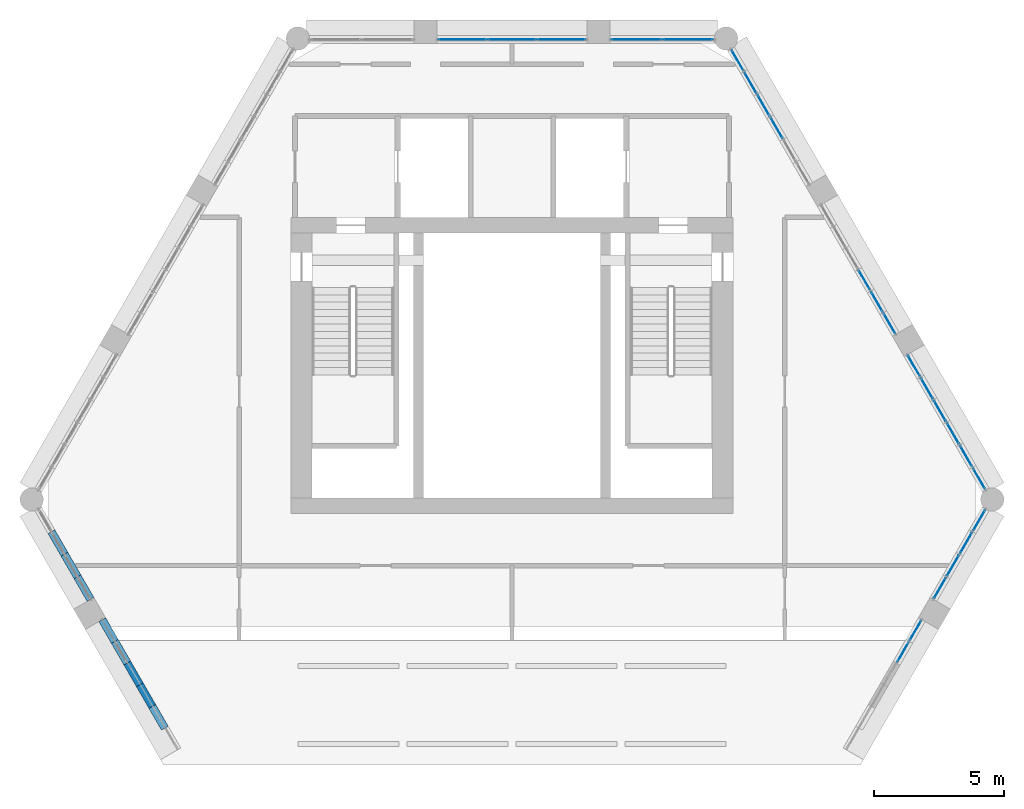
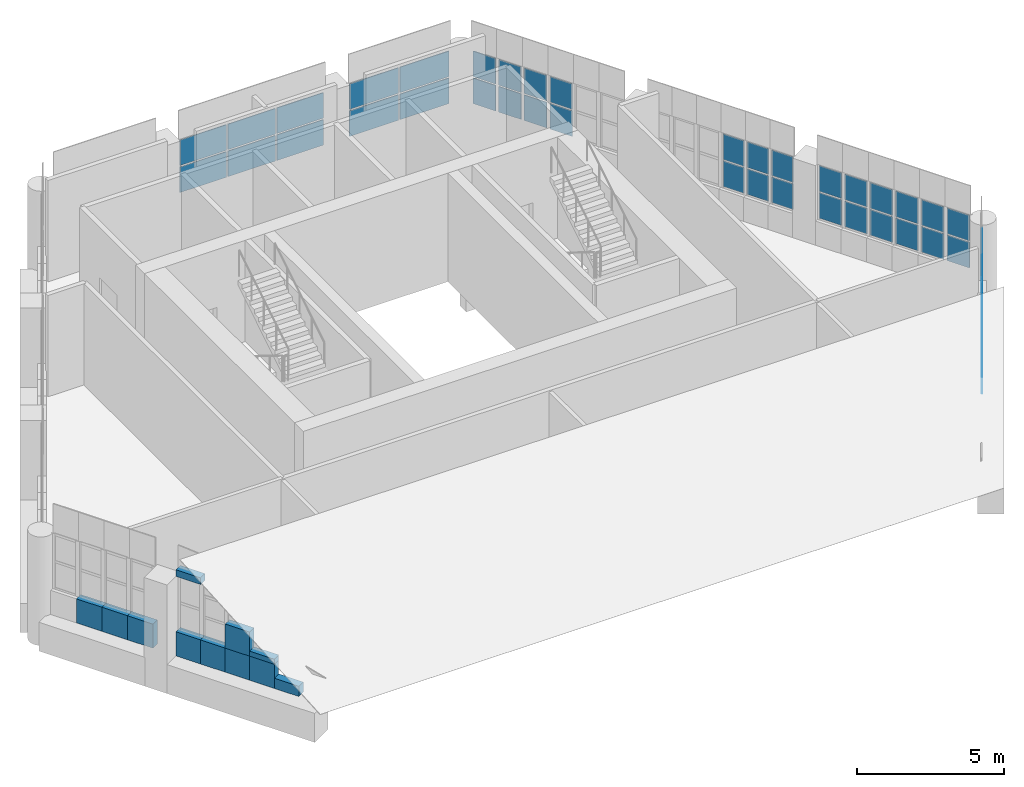
# One storey, part 17 of 23: 48 plates, 11 walls, 21 elements without a shape of their own.
"""IFC4 building model written with IfcOpenShell, lengths in metres."""

from ifc_helpers import new_model, si_unit, direction, frame, frame_2d, origin, origin_2d, place, context, subcontext, project, spatial, rectangle, extrude, material, layer, layer_set, type_object, element, aggregate, save


model = new_model("IFC4")

# Units and contexts
model_context = context("Model", 3, precision=1e-05, world=origin(), true_north=direction((0.0, 1.0)))
body_context = subcontext(model_context, "Body", "Model", "MODEL_VIEW")
ifc_project = project(units=[si_unit("LENGTHUNIT", "METRE"), si_unit("AREAUNIT", "SQUARE_METRE"), si_unit("VOLUMEUNIT", "CUBIC_METRE"), si_unit("PLANEANGLEUNIT", "RADIAN"), si_unit("MASSUNIT", "GRAM", prefix="KILO")], contexts=[model_context])

# Site, building, storey
site_placement = place(None, origin())
site = spatial("IfcSite", under=ifc_project, at=site_placement, CompositionType="ELEMENT")
building_placement = place(site_placement, origin())
building = spatial("IfcBuilding", under=site, at=building_placement, Name="Ostrander Bayou Hotel Tower", CompositionType="ELEMENT")
storey_placement = place(building_placement, frame((0.0, 0.0, 279.5)))
storey = spatial("IfcBuildingStorey", under=building, at=storey_placement, Name="L69", CompositionType="ELEMENT", Elevation=279.5)

# Curtain wall, plates
ifc_material_1 = material(Name="Aluminium and clear glass", Category="aluminium")
curtain_wall_type = type_object("IfcCurtainWallType", Name="CW-CROWN glazed wall", PredefinedType="NOTDEFINED", material=ifc_material_1)
curtain_wall_1_placement = place(storey_placement, origin())
curtain_wall_1 = element("IfcCurtainWall", 1, at=curtain_wall_1_placement, inside=storey, type_object=curtain_wall_type, Name="CW-CROWN L69:N-1", PredefinedType="NOTDEFINED")
ifc_material_2 = material(Name="Clear laminated glass", Category="glass")
ifc_layer_1 = layer(ifc_material_2, 0.028076171875)
ifc_layer_set_1 = layer_set([ifc_layer_1], Name="CW-CR glazing panel 28 mm")
plate_type = type_object("IfcPlateType", Name="CW-CR glazing panel 28 mm", PredefinedType="CURTAIN_PANEL", material=ifc_layer_set_1)
plate_1_placement = place(storey_placement, frame((6.77685546875, 16.550048828125, 1.06005859375), z_axis=(0.0, 0.0, 1.0), x_axis=(-1.0, 0.0, 0.0)))
plate_1 = element("IfcPlate", 2, at=plate_1_placement, type_object=plate_type, Name="CW-CROWN panel 1.1", PredefinedType="CURTAIN_PANEL", context=body_context, shape_type="SweptSolid", body=[
    extrude(rectangle(XDim=1.918212890625, YDim=0.028076171875, at=origin_2d()), origin(), (0.0, 0.0, 1.0), 1.06005859375),
])
plate_2_placement = place(storey_placement, frame((6.77685546875, 16.550048828125, 2.179931640625), z_axis=(0.0, 0.0, 1.0), x_axis=(-1.0, 0.0, 0.0)))
plate_2 = element("IfcPlate", 3, at=plate_2_placement, type_object=plate_type, Name="CW-CROWN panel 1.2", PredefinedType="CURTAIN_PANEL", context=body_context, shape_type="SweptSolid", body=[
    extrude(rectangle(XDim=1.918212890625, YDim=0.028076171875, at=origin_2d()), origin(), (0.0, 0.0, 1.0), 1.06005859375),
])
plate_3_placement = place(storey_placement, frame((4.798583984375, 16.550048828125, 1.06005859375), z_axis=(0.0, 0.0, 1.0), x_axis=(-1.0, 0.0, 0.0)))
plate_3 = element("IfcPlate", 4, at=plate_3_placement, type_object=plate_type, Name="CW-CROWN panel 2.1", PredefinedType="CURTAIN_PANEL", context=body_context, shape_type="SweptSolid", body=[
    extrude(rectangle(XDim=1.918212890625, YDim=0.028076171875, at=origin_2d()), origin(), (0.0, 0.0, 1.0), 1.06005859375),
])
plate_4_placement = place(storey_placement, frame((4.798583984375, 16.550048828125, 2.179931640625), z_axis=(0.0, 0.0, 1.0), x_axis=(-1.0, 0.0, 0.0)))
plate_4 = element("IfcPlate", 5, at=plate_4_placement, type_object=plate_type, Name="CW-CROWN panel 2.2", PredefinedType="CURTAIN_PANEL", context=body_context, shape_type="SweptSolid", body=[
    extrude(rectangle(XDim=1.918212890625, YDim=0.028076171875, at=origin_2d()), origin(), (0.0, 0.0, 1.0), 1.06005859375),
])
aggregate(curtain_wall_1, [plate_1, plate_2, plate_3, plate_4])

curtain_wall_2_placement = place(storey_placement, origin())
curtain_wall_2 = element("IfcCurtainWall", 6, at=curtain_wall_2_placement, inside=storey, type_object=curtain_wall_type, Name="CW-CROWN L69:N-2", PredefinedType="NOTDEFINED")
plate_5_placement = place(storey_placement, frame((1.904541015625, 16.550048828125, 1.06005859375), z_axis=(0.0, 0.0, 1.0), x_axis=(-1.0, 0.0, 0.0)))
plate_5 = element("IfcPlate", 7, at=plate_5_placement, type_object=plate_type, Name="CW-CROWN panel 1.1", PredefinedType="CURTAIN_PANEL", context=body_context, shape_type="SweptSolid", body=[
    extrude(rectangle(XDim=1.82958984375, YDim=0.028076171875, at=origin_2d()), origin(), (0.0, 0.0, 1.0), 1.06005859375),
])
plate_6_placement = place(storey_placement, frame((1.904541015625, 16.550048828125, 2.179931640625), z_axis=(0.0, 0.0, 1.0), x_axis=(-1.0, 0.0, 0.0)))
plate_6 = element("IfcPlate", 8, at=plate_6_placement, type_object=plate_type, Name="CW-CROWN panel 1.2", PredefinedType="CURTAIN_PANEL", context=body_context, shape_type="SweptSolid", body=[
    extrude(rectangle(XDim=1.82958984375, YDim=0.028076171875, at=origin_2d()), origin(), (0.0, 0.0, 1.0), 1.06005859375),
])
plate_7_placement = place(storey_placement, frame((0.0, 16.550048828125, 1.06005859375), z_axis=(0.0, 0.0, 1.0), x_axis=(-1.0, 0.0, 0.0)))
plate_7 = element("IfcPlate", 9, at=plate_7_placement, type_object=plate_type, Name="CW-CROWN panel 2.1", PredefinedType="CURTAIN_PANEL", context=body_context, shape_type="SweptSolid", body=[
    extrude(rectangle(XDim=1.859619140625, YDim=0.028076171875, at=origin_2d()), origin(), (0.0, 0.0, 1.0), 1.06005859375),
])
plate_8_placement = place(storey_placement, frame((0.0, 16.550048828125, 2.179931640625), z_axis=(0.0, 0.0, 1.0), x_axis=(-1.0, 0.0, 0.0)))
plate_8 = element("IfcPlate", 10, at=plate_8_placement, type_object=plate_type, Name="CW-CROWN panel 2.2", PredefinedType="CURTAIN_PANEL", context=body_context, shape_type="SweptSolid", body=[
    extrude(rectangle(XDim=1.859619140625, YDim=0.028076171875, at=origin_2d()), origin(), (0.0, 0.0, 1.0), 1.06005859375),
])
plate_9_placement = place(storey_placement, frame((-1.904541015625, 16.550048828125, 1.06005859375), z_axis=(0.0, 0.0, 1.0), x_axis=(-1.0, 0.0, 0.0)))
plate_9 = element("IfcPlate", 11, at=plate_9_placement, type_object=plate_type, Name="CW-CROWN panel 3.1", PredefinedType="CURTAIN_PANEL", context=body_context, shape_type="SweptSolid", body=[
    extrude(rectangle(XDim=1.82958984375, YDim=0.028076171875, at=origin_2d()), origin(), (0.0, 0.0, 1.0), 1.06005859375),
])
plate_10_placement = place(storey_placement, frame((-1.904541015625, 16.550048828125, 2.179931640625), z_axis=(0.0, 0.0, 1.0), x_axis=(-1.0, 0.0, 0.0)))
plate_10 = element("IfcPlate", 12, at=plate_10_placement, type_object=plate_type, Name="CW-CROWN panel 3.2", PredefinedType="CURTAIN_PANEL", context=body_context, shape_type="SweptSolid", body=[
    extrude(rectangle(XDim=1.82958984375, YDim=0.028076171875, at=origin_2d()), origin(), (0.0, 0.0, 1.0), 1.06005859375),
])
aggregate(curtain_wall_2, [plate_5, plate_6, plate_7, plate_8, plate_9, plate_10])

curtain_wall_3_placement = place(storey_placement, origin())
curtain_wall_3 = element("IfcCurtainWall", 13, at=curtain_wall_3_placement, inside=storey, type_object=curtain_wall_type, Name="CW-CROWN L69:SE-2-5", PredefinedType="NOTDEFINED")
plate_11_placement = place(storey_placement, frame((15.048828125, -7.03466796875, 1.06005859375), z_axis=(0.0, 0.0, 1.0), x_axis=(0.499973660258, 0.866040610507, 0.0)))
plate_11 = element("IfcPlate", 14, at=plate_11_placement, type_object=plate_type, Name="CW-CROWN panel 1.1", PredefinedType="CURTAIN_PANEL", context=body_context, shape_type="SweptSolid", body=[
    extrude(rectangle(XDim=0.844970703125, YDim=0.028076171875, at=origin_2d()), origin(), (0.0, 0.0, 1.0), 0.802978515625),
])
plate_12_placement = place(storey_placement, frame((15.048828125, -7.03466796875, 1.9228515625), z_axis=(0.0, 0.0, 1.0), x_axis=(0.499973660258, 0.866040610507, 0.0)))
plate_12 = element("IfcPlate", 15, at=plate_12_placement, type_object=plate_type, Name="CW-CROWN panel 1.2", PredefinedType="CURTAIN_PANEL", context=body_context, shape_type="SweptSolid", body=[
    extrude(rectangle(XDim=0.844970703125, YDim=0.028076171875, at=origin_2d()), origin(), (0.0, 0.0, 1.0), 0.802978515625),
])
aggregate(curtain_wall_3, [plate_11, plate_12])

curtain_wall_4_placement = place(storey_placement, origin())
curtain_wall_4 = element("IfcCurtainWall", 16, at=curtain_wall_4_placement, inside=storey, type_object=curtain_wall_type, Name="CW-CROWN L69:SE-2-6", PredefinedType="NOTDEFINED")
plate_13_placement = place(storey_placement, frame((15.53125, -6.19921875, 1.06005859375), z_axis=(0.0, 0.0, 1.0), x_axis=(0.500018540754, 0.86601469901, 0.0)))
plate_13 = element("IfcPlate", 17, at=plate_13_placement, type_object=plate_type, Name="CW-CROWN panel 1.1", PredefinedType="CURTAIN_PANEL", context=body_context, shape_type="SweptSolid", body=[
    extrude(rectangle(XDim=0.8447265625, YDim=0.028076171875, at=origin_2d()), origin(), (0.0, 0.0, 1.0), 1.06005859375),
])
plate_14_placement = place(storey_placement, frame((15.53125, -6.19921875, 2.179931640625), z_axis=(0.0, 0.0, 1.0), x_axis=(0.500018540754, 0.86601469901, 0.0)))
plate_14 = element("IfcPlate", 18, at=plate_14_placement, type_object=plate_type, Name="CW-CROWN panel 1.2", PredefinedType="CURTAIN_PANEL", context=body_context, shape_type="SweptSolid", body=[
    extrude(rectangle(XDim=0.8447265625, YDim=0.028076171875, at=origin_2d()), origin(), (0.0, 0.0, 1.0), 1.06005859375),
])
aggregate(curtain_wall_4, [plate_13, plate_14])

curtain_wall_5_placement = place(storey_placement, origin())
curtain_wall_5 = element("IfcCurtainWall", 19, at=curtain_wall_5_placement, inside=storey, type_object=curtain_wall_type, Name="CW-CROWN L69:SE-3-1", PredefinedType="NOTDEFINED")
plate_15_placement = place(storey_placement, frame((16.473388671875, -4.5673828125, 1.06005859375), z_axis=(0.0, 0.0, 1.0), x_axis=(0.500007031615, 0.866021344042, 0.0)))
plate_15 = element("IfcPlate", 20, at=plate_15_placement, type_object=plate_type, Name="CW-CROWN panel 1.1", PredefinedType="CURTAIN_PANEL", context=body_context, shape_type="SweptSolid", body=[
    extrude(rectangle(XDim=0.8837890625, YDim=0.028076171875, at=origin_2d()), origin(), (0.0, 0.0, 1.0), 1.06005859375),
])
plate_16_placement = place(storey_placement, frame((16.473388671875, -4.5673828125, 2.179931640625), z_axis=(0.0, 0.0, 1.0), x_axis=(0.500007031615, 0.866021344042, 0.0)))
plate_16 = element("IfcPlate", 21, at=plate_16_placement, type_object=plate_type, Name="CW-CROWN panel 1.2", PredefinedType="CURTAIN_PANEL", context=body_context, shape_type="SweptSolid", body=[
    extrude(rectangle(XDim=0.8837890625, YDim=0.028076171875, at=origin_2d()), origin(), (0.0, 0.0, 1.0), 1.06005859375),
])
aggregate(curtain_wall_5, [plate_15, plate_16])

curtain_wall_6_placement = place(storey_placement, origin())
curtain_wall_6 = element("IfcCurtainWall", 22, at=curtain_wall_6_placement, inside=storey, type_object=curtain_wall_type, Name="CW-CROWN L69:SE-3-2", PredefinedType="NOTDEFINED")
plate_17_placement = place(storey_placement, frame((16.975341796875, -3.697998046875, 1.06005859375), z_axis=(0.0, 0.0, 1.0), x_axis=(0.499963896343, 0.866046247237, 0.0)))
plate_17 = element("IfcPlate", 23, at=plate_17_placement, type_object=plate_type, Name="CW-CROWN panel 1.1", PredefinedType="CURTAIN_PANEL", context=body_context, shape_type="SweptSolid", body=[
    extrude(rectangle(XDim=0.8837890625, YDim=0.028076171875, at=origin_2d()), origin(), (0.0, 0.0, 1.0), 1.06005859375),
])
plate_18_placement = place(storey_placement, frame((16.975341796875, -3.697998046875, 2.179931640625), z_axis=(0.0, 0.0, 1.0), x_axis=(0.499963896343, 0.866046247237, 0.0)))
plate_18 = element("IfcPlate", 24, at=plate_18_placement, type_object=plate_type, Name="CW-CROWN panel 1.2", PredefinedType="CURTAIN_PANEL", context=body_context, shape_type="SweptSolid", body=[
    extrude(rectangle(XDim=0.8837890625, YDim=0.028076171875, at=origin_2d()), origin(), (0.0, 0.0, 1.0), 1.06005859375),
])
aggregate(curtain_wall_6, [plate_17, plate_18])

curtain_wall_7_placement = place(storey_placement, origin())
curtain_wall_7 = element("IfcCurtainWall", 25, at=curtain_wall_7_placement, inside=storey, type_object=curtain_wall_type, Name="CW-CROWN L69:SE-3-3", PredefinedType="NOTDEFINED")
plate_19_placement = place(storey_placement, frame((17.47705078125, -2.82861328125, 1.06005859375), z_axis=(0.0, 0.0, 1.0), x_axis=(0.500007031615, 0.866021344042, 0.0)))
plate_19 = element("IfcPlate", 26, at=plate_19_placement, type_object=plate_type, Name="CW-CROWN panel 1.1", PredefinedType="CURTAIN_PANEL", context=body_context, shape_type="SweptSolid", body=[
    extrude(rectangle(XDim=0.8837890625, YDim=0.028076171875, at=origin_2d()), origin(), (0.0, 0.0, 1.0), 1.06005859375),
])
plate_20_placement = place(storey_placement, frame((17.47705078125, -2.82861328125, 2.179931640625), z_axis=(0.0, 0.0, 1.0), x_axis=(0.500007031615, 0.866021344042, 0.0)))
plate_20 = element("IfcPlate", 27, at=plate_20_placement, type_object=plate_type, Name="CW-CROWN panel 1.2", PredefinedType="CURTAIN_PANEL", context=body_context, shape_type="SweptSolid", body=[
    extrude(rectangle(XDim=0.8837890625, YDim=0.028076171875, at=origin_2d()), origin(), (0.0, 0.0, 1.0), 1.06005859375),
])
aggregate(curtain_wall_7, [plate_19, plate_20])

curtain_wall_8_placement = place(storey_placement, origin())
curtain_wall_8 = element("IfcCurtainWall", 28, at=curtain_wall_8_placement, inside=storey, type_object=curtain_wall_type, Name="CW-CROWN L69:SE-3-4", PredefinedType="NOTDEFINED")
plate_21_placement = place(storey_placement, frame((17.97900390625, -1.959228515625, 1.06005859375), z_axis=(0.0, 0.0, 1.0), x_axis=(0.499963896343, 0.866046247237, 0.0)))
plate_21 = element("IfcPlate", 29, at=plate_21_placement, type_object=plate_type, Name="CW-CROWN panel 1.1", PredefinedType="CURTAIN_PANEL", context=body_context, shape_type="SweptSolid", body=[
    extrude(rectangle(XDim=0.8837890625, YDim=0.028076171875, at=origin_2d()), origin(), (0.0, 0.0, 1.0), 1.06005859375),
])
plate_22_placement = place(storey_placement, frame((17.97900390625, -1.959228515625, 2.179931640625), z_axis=(0.0, 0.0, 1.0), x_axis=(0.499963896343, 0.866046247237, 0.0)))
plate_22 = element("IfcPlate", 30, at=plate_22_placement, type_object=plate_type, Name="CW-CROWN panel 1.2", PredefinedType="CURTAIN_PANEL", context=body_context, shape_type="SweptSolid", body=[
    extrude(rectangle(XDim=0.8837890625, YDim=0.028076171875, at=origin_2d()), origin(), (0.0, 0.0, 1.0), 1.06005859375),
])
aggregate(curtain_wall_8, [plate_21, plate_22])

curtain_wall_9_placement = place(storey_placement, origin())
curtain_wall_9 = element("IfcCurtainWall", 31, at=curtain_wall_9_placement, inside=storey, type_object=curtain_wall_type, Name="CW-CROWN L69:NE-1-1", PredefinedType="NOTDEFINED")
plate_23_placement = place(storey_placement, frame((17.979248046875, -0.35400390625, 1.06005859375), z_axis=(0.0, 0.0, 1.0), x_axis=(-0.500084907485, 0.865976376875, 0.0)))
plate_23 = element("IfcPlate", 32, at=plate_23_placement, type_object=plate_type, Name="CW-CROWN panel 1.1", PredefinedType="CURTAIN_PANEL", context=body_context, shape_type="SweptSolid", body=[
    extrude(rectangle(XDim=0.883056640625, YDim=0.028076171875, at=origin_2d()), origin(), (0.0, 0.0, 1.0), 1.06005859375),
])
plate_24_placement = place(storey_placement, frame((17.979248046875, -0.35400390625, 2.179931640625), z_axis=(0.0, 0.0, 1.0), x_axis=(-0.500084907485, 0.865976376875, 0.0)))
plate_24 = element("IfcPlate", 33, at=plate_24_placement, type_object=plate_type, Name="CW-CROWN panel 1.2", PredefinedType="CURTAIN_PANEL", context=body_context, shape_type="SweptSolid", body=[
    extrude(rectangle(XDim=0.883056640625, YDim=0.028076171875, at=origin_2d()), origin(), (0.0, 0.0, 1.0), 1.06005859375),
])
aggregate(curtain_wall_9, [plate_23, plate_24])

curtain_wall_10_placement = place(storey_placement, origin())
curtain_wall_10 = element("IfcCurtainWall", 34, at=curtain_wall_10_placement, inside=storey, type_object=curtain_wall_type, Name="CW-CROWN L69:NE-1-2", PredefinedType="NOTDEFINED")
plate_25_placement = place(storey_placement, frame((17.477783203125, 0.5146484375, 1.06005859375), z_axis=(0.0, 0.0, 1.0), x_axis=(-0.499966966783, 0.866044474681, 0.0)))
plate_25 = element("IfcPlate", 35, at=plate_25_placement, type_object=plate_type, Name="CW-CROWN panel 1.1", PredefinedType="CURTAIN_PANEL", context=body_context, shape_type="SweptSolid", body=[
    extrude(rectangle(XDim=0.883056640625, YDim=0.028076171875, at=origin_2d()), origin(), (0.0, 0.0, 1.0), 1.06005859375),
])
plate_26_placement = place(storey_placement, frame((17.477783203125, 0.5146484375, 2.179931640625), z_axis=(0.0, 0.0, 1.0), x_axis=(-0.499966966783, 0.866044474681, 0.0)))
plate_26 = element("IfcPlate", 36, at=plate_26_placement, type_object=plate_type, Name="CW-CROWN panel 1.2", PredefinedType="CURTAIN_PANEL", context=body_context, shape_type="SweptSolid", body=[
    extrude(rectangle(XDim=0.883056640625, YDim=0.028076171875, at=origin_2d()), origin(), (0.0, 0.0, 1.0), 1.06005859375),
])
aggregate(curtain_wall_10, [plate_25, plate_26])

curtain_wall_11_placement = place(storey_placement, origin())
curtain_wall_11 = element("IfcCurtainWall", 37, at=curtain_wall_11_placement, inside=storey, type_object=curtain_wall_type, Name="CW-CROWN L69:NE-1-3", PredefinedType="NOTDEFINED")
plate_27_placement = place(storey_placement, frame((16.976318359375, 1.38330078125, 1.06005859375), z_axis=(0.0, 0.0, 1.0), x_axis=(-0.499966966783, 0.866044474681, 0.0)))
plate_27 = element("IfcPlate", 38, at=plate_27_placement, type_object=plate_type, Name="CW-CROWN panel 1.1", PredefinedType="CURTAIN_PANEL", context=body_context, shape_type="SweptSolid", body=[
    extrude(rectangle(XDim=0.883056640625, YDim=0.028076171875, at=origin_2d()), origin(), (0.0, 0.0, 1.0), 1.06005859375),
])
plate_28_placement = place(storey_placement, frame((16.976318359375, 1.38330078125, 2.179931640625), z_axis=(0.0, 0.0, 1.0), x_axis=(-0.499966966783, 0.866044474681, 0.0)))
plate_28 = element("IfcPlate", 39, at=plate_28_placement, type_object=plate_type, Name="CW-CROWN panel 1.2", PredefinedType="CURTAIN_PANEL", context=body_context, shape_type="SweptSolid", body=[
    extrude(rectangle(XDim=0.883056640625, YDim=0.028076171875, at=origin_2d()), origin(), (0.0, 0.0, 1.0), 1.06005859375),
])
aggregate(curtain_wall_11, [plate_27, plate_28])

curtain_wall_12_placement = place(storey_placement, origin())
curtain_wall_12 = element("IfcCurtainWall", 40, at=curtain_wall_12_placement, inside=storey, type_object=curtain_wall_type, Name="CW-CROWN L69:NE-1-4", PredefinedType="NOTDEFINED")
plate_29_placement = place(storey_placement, frame((16.474853515625, 2.251953125, 1.06005859375), z_axis=(0.0, 0.0, 1.0), x_axis=(-0.500010136897, 0.866019551165, 0.0)))
plate_29 = element("IfcPlate", 41, at=plate_29_placement, type_object=plate_type, Name="CW-CROWN panel 1.1", PredefinedType="CURTAIN_PANEL", context=body_context, shape_type="SweptSolid", body=[
    extrude(rectangle(XDim=0.883056640625, YDim=0.028076171875, at=origin_2d()), origin(), (0.0, 0.0, 1.0), 1.06005859375),
])
plate_30_placement = place(storey_placement, frame((16.474853515625, 2.251953125, 2.179931640625), z_axis=(0.0, 0.0, 1.0), x_axis=(-0.500010136897, 0.866019551165, 0.0)))
plate_30 = element("IfcPlate", 42, at=plate_30_placement, type_object=plate_type, Name="CW-CROWN panel 1.2", PredefinedType="CURTAIN_PANEL", context=body_context, shape_type="SweptSolid", body=[
    extrude(rectangle(XDim=0.883056640625, YDim=0.028076171875, at=origin_2d()), origin(), (0.0, 0.0, 1.0), 1.06005859375),
])
aggregate(curtain_wall_12, [plate_29, plate_30])

curtain_wall_13_placement = place(storey_placement, origin())
curtain_wall_13 = element("IfcCurtainWall", 43, at=curtain_wall_13_placement, inside=storey, type_object=curtain_wall_type, Name="CW-CROWN L69:NE-1-5", PredefinedType="NOTDEFINED")
plate_31_placement = place(storey_placement, frame((15.97314453125, 3.12060546875, 1.06005859375), z_axis=(0.0, 0.0, 1.0), x_axis=(-0.50004173523, 0.866001306597, 0.0)))
plate_31 = element("IfcPlate", 44, at=plate_31_placement, type_object=plate_type, Name="CW-CROWN panel 1.1", PredefinedType="CURTAIN_PANEL", context=body_context, shape_type="SweptSolid", body=[
    extrude(rectangle(XDim=0.883056640625, YDim=0.028076171875, at=origin_2d()), origin(), (0.0, 0.0, 1.0), 1.06005859375),
])
plate_32_placement = place(storey_placement, frame((15.97314453125, 3.12060546875, 2.179931640625), z_axis=(0.0, 0.0, 1.0), x_axis=(-0.50004173523, 0.866001306597, 0.0)))
plate_32 = element("IfcPlate", 45, at=plate_32_placement, type_object=plate_type, Name="CW-CROWN panel 1.2", PredefinedType="CURTAIN_PANEL", context=body_context, shape_type="SweptSolid", body=[
    extrude(rectangle(XDim=0.883056640625, YDim=0.028076171875, at=origin_2d()), origin(), (0.0, 0.0, 1.0), 1.06005859375),
])
aggregate(curtain_wall_13, [plate_31, plate_32])

curtain_wall_14_placement = place(storey_placement, origin())
curtain_wall_14 = element("IfcCurtainWall", 46, at=curtain_wall_14_placement, inside=storey, type_object=curtain_wall_type, Name="CW-CROWN L69:NE-1-6", PredefinedType="NOTDEFINED")
plate_33_placement = place(storey_placement, frame((15.4716796875, 3.9892578125, 1.06005859375), z_axis=(0.0, 0.0, 1.0), x_axis=(-0.499966966783, 0.866044474681, 0.0)))
plate_33 = element("IfcPlate", 47, at=plate_33_placement, type_object=plate_type, Name="CW-CROWN panel 1.1", PredefinedType="CURTAIN_PANEL", context=body_context, shape_type="SweptSolid", body=[
    extrude(rectangle(XDim=0.883056640625, YDim=0.028076171875, at=origin_2d()), origin(), (0.0, 0.0, 1.0), 1.06005859375),
])
plate_34_placement = place(storey_placement, frame((15.4716796875, 3.9892578125, 2.179931640625), z_axis=(0.0, 0.0, 1.0), x_axis=(-0.499966966783, 0.866044474681, 0.0)))
plate_34 = element("IfcPlate", 48, at=plate_34_placement, type_object=plate_type, Name="CW-CROWN panel 1.2", PredefinedType="CURTAIN_PANEL", context=body_context, shape_type="SweptSolid", body=[
    extrude(rectangle(XDim=0.883056640625, YDim=0.028076171875, at=origin_2d()), origin(), (0.0, 0.0, 1.0), 1.06005859375),
])
aggregate(curtain_wall_14, [plate_33, plate_34])

curtain_wall_15_placement = place(storey_placement, origin())
curtain_wall_15 = element("IfcCurtainWall", 49, at=curtain_wall_15_placement, inside=storey, type_object=curtain_wall_type, Name="CW-CROWN L69:NE-2-1", PredefinedType="NOTDEFINED")
plate_35_placement = place(storey_placement, frame((14.531005859375, 5.61865234375, 1.06005859375), z_axis=(0.0, 0.0, 1.0), x_axis=(-0.500005045044, 0.866022491007, 0.0)))
plate_35 = element("IfcPlate", 50, at=plate_35_placement, type_object=plate_type, Name="CW-CROWN panel 1.1", PredefinedType="CURTAIN_PANEL", context=body_context, shape_type="SweptSolid", body=[
    extrude(rectangle(XDim=0.83984375, YDim=0.028076171875, at=origin_2d()), origin(), (0.0, 0.0, 1.0), 1.06005859375),
])
plate_36_placement = place(storey_placement, frame((14.531005859375, 5.61865234375, 2.179931640625), z_axis=(0.0, 0.0, 1.0), x_axis=(-0.500005045044, 0.866022491007, 0.0)))
plate_36 = element("IfcPlate", 51, at=plate_36_placement, type_object=plate_type, Name="CW-CROWN panel 1.2", PredefinedType="CURTAIN_PANEL", context=body_context, shape_type="SweptSolid", body=[
    extrude(rectangle(XDim=0.83984375, YDim=0.028076171875, at=origin_2d()), origin(), (0.0, 0.0, 1.0), 1.06005859375),
])
aggregate(curtain_wall_15, [plate_35, plate_36])

curtain_wall_16_placement = place(storey_placement, origin())
curtain_wall_16 = element("IfcCurtainWall", 52, at=curtain_wall_16_placement, inside=storey, type_object=curtain_wall_type, Name="CW-CROWN L69:NE-2-2", PredefinedType="NOTDEFINED")
plate_37_placement = place(storey_placement, frame((14.051025390625, 6.449951171875, 1.06005859375), z_axis=(0.0, 0.0, 1.0), x_axis=(-0.500005045044, 0.866022491007, 0.0)))
plate_37 = element("IfcPlate", 53, at=plate_37_placement, type_object=plate_type, Name="CW-CROWN panel 1.1", PredefinedType="CURTAIN_PANEL", context=body_context, shape_type="SweptSolid", body=[
    extrude(rectangle(XDim=0.83984375, YDim=0.028076171875, at=origin_2d()), origin(), (0.0, 0.0, 1.0), 1.06005859375),
])
plate_38_placement = place(storey_placement, frame((14.051025390625, 6.449951171875, 2.179931640625), z_axis=(0.0, 0.0, 1.0), x_axis=(-0.500005045044, 0.866022491007, 0.0)))
plate_38 = element("IfcPlate", 54, at=plate_38_placement, type_object=plate_type, Name="CW-CROWN panel 1.2", PredefinedType="CURTAIN_PANEL", context=body_context, shape_type="SweptSolid", body=[
    extrude(rectangle(XDim=0.83984375, YDim=0.028076171875, at=origin_2d()), origin(), (0.0, 0.0, 1.0), 1.06005859375),
])
aggregate(curtain_wall_16, [plate_37, plate_38])

curtain_wall_17_placement = place(storey_placement, origin())
curtain_wall_17 = element("IfcCurtainWall", 55, at=curtain_wall_17_placement, inside=storey, type_object=curtain_wall_type, Name="CW-CROWN L69:NE-2-3", PredefinedType="NOTDEFINED")
plate_39_placement = place(storey_placement, frame((13.571044921875, 7.28125, 1.06005859375), z_axis=(0.0, 0.0, 1.0), x_axis=(-0.499959932788, 0.866048535364, 0.0)))
plate_39 = element("IfcPlate", 56, at=plate_39_placement, type_object=plate_type, Name="CW-CROWN panel 1.1", PredefinedType="CURTAIN_PANEL", context=body_context, shape_type="SweptSolid", body=[
    extrude(rectangle(XDim=0.83984375, YDim=0.028076171875, at=origin_2d()), origin(), (0.0, 0.0, 1.0), 1.06005859375),
])
plate_40_placement = place(storey_placement, frame((13.571044921875, 7.28125, 2.179931640625), z_axis=(0.0, 0.0, 1.0), x_axis=(-0.499959932788, 0.866048535364, 0.0)))
plate_40 = element("IfcPlate", 57, at=plate_40_placement, type_object=plate_type, Name="CW-CROWN panel 1.2", PredefinedType="CURTAIN_PANEL", context=body_context, shape_type="SweptSolid", body=[
    extrude(rectangle(XDim=0.83984375, YDim=0.028076171875, at=origin_2d()), origin(), (0.0, 0.0, 1.0), 1.06005859375),
])
aggregate(curtain_wall_17, [plate_39, plate_40])

curtain_wall_18_placement = place(storey_placement, origin())
curtain_wall_18 = element("IfcCurtainWall", 58, at=curtain_wall_18_placement, inside=storey, type_object=curtain_wall_type, Name="CW-CROWN L69:NE-3-3", PredefinedType="NOTDEFINED")
plate_41_placement = place(storey_placement, frame((10.1875, 13.1416015625, 1.06005859375), z_axis=(0.0, 0.0, 1.0), x_axis=(-0.499923802893, 0.866069391736, 0.0)))
plate_41 = element("IfcPlate", 59, at=plate_41_placement, type_object=plate_type, Name="CW-CROWN panel 1.1", PredefinedType="CURTAIN_PANEL", context=body_context, shape_type="SweptSolid", body=[
    extrude(rectangle(XDim=0.883056640625, YDim=0.028076171875, at=origin_2d()), origin(), (0.0, 0.0, 1.0), 1.06005859375),
])
plate_42_placement = place(storey_placement, frame((10.1875, 13.1416015625, 2.179931640625), z_axis=(0.0, 0.0, 1.0), x_axis=(-0.499923802893, 0.866069391736, 0.0)))
plate_42 = element("IfcPlate", 60, at=plate_42_placement, type_object=plate_type, Name="CW-CROWN panel 1.2", PredefinedType="CURTAIN_PANEL", context=body_context, shape_type="SweptSolid", body=[
    extrude(rectangle(XDim=0.883056640625, YDim=0.028076171875, at=origin_2d()), origin(), (0.0, 0.0, 1.0), 1.06005859375),
])
aggregate(curtain_wall_18, [plate_41, plate_42])

curtain_wall_19_placement = place(storey_placement, origin())
curtain_wall_19 = element("IfcCurtainWall", 61, at=curtain_wall_19_placement, inside=storey, type_object=curtain_wall_type, Name="CW-CROWN L69:NE-3-4", PredefinedType="NOTDEFINED")
plate_43_placement = place(storey_placement, frame((9.68603515625, 14.010498046875, 1.06005859375), z_axis=(0.0, 0.0, 1.0), x_axis=(-0.499998569184, 0.866026229865, 0.0)))
plate_43 = element("IfcPlate", 62, at=plate_43_placement, type_object=plate_type, Name="CW-CROWN panel 1.1", PredefinedType="CURTAIN_PANEL", context=body_context, shape_type="SweptSolid", body=[
    extrude(rectangle(XDim=0.88330078125, YDim=0.028076171875, at=origin_2d()), origin(), (0.0, 0.0, 1.0), 1.06005859375),
])
plate_44_placement = place(storey_placement, frame((9.68603515625, 14.010498046875, 2.179931640625), z_axis=(0.0, 0.0, 1.0), x_axis=(-0.499998569184, 0.866026229865, 0.0)))
plate_44 = element("IfcPlate", 63, at=plate_44_placement, type_object=plate_type, Name="CW-CROWN panel 1.2", PredefinedType="CURTAIN_PANEL", context=body_context, shape_type="SweptSolid", body=[
    extrude(rectangle(XDim=0.88330078125, YDim=0.028076171875, at=origin_2d()), origin(), (0.0, 0.0, 1.0), 1.06005859375),
])
aggregate(curtain_wall_19, [plate_43, plate_44])

curtain_wall_20_placement = place(storey_placement, origin())
curtain_wall_20 = element("IfcCurtainWall", 64, at=curtain_wall_20_placement, inside=storey, type_object=curtain_wall_type, Name="CW-CROWN L69:NE-3-5", PredefinedType="NOTDEFINED")
plate_45_placement = place(storey_placement, frame((9.184326171875, 14.879150390625, 1.06005859375), z_axis=(0.0, 0.0, 1.0), x_axis=(-0.50004173523, 0.866001306597, 0.0)))
plate_45 = element("IfcPlate", 65, at=plate_45_placement, type_object=plate_type, Name="CW-CROWN panel 1.1", PredefinedType="CURTAIN_PANEL", context=body_context, shape_type="SweptSolid", body=[
    extrude(rectangle(XDim=0.883056640625, YDim=0.028076171875, at=origin_2d()), origin(), (0.0, 0.0, 1.0), 1.06005859375),
])
plate_46_placement = place(storey_placement, frame((9.184326171875, 14.879150390625, 2.179931640625), z_axis=(0.0, 0.0, 1.0), x_axis=(-0.50004173523, 0.866001306597, 0.0)))
plate_46 = element("IfcPlate", 66, at=plate_46_placement, type_object=plate_type, Name="CW-CROWN panel 1.2", PredefinedType="CURTAIN_PANEL", context=body_context, shape_type="SweptSolid", body=[
    extrude(rectangle(XDim=0.883056640625, YDim=0.028076171875, at=origin_2d()), origin(), (0.0, 0.0, 1.0), 1.06005859375),
])
aggregate(curtain_wall_20, [plate_45, plate_46])

curtain_wall_21_placement = place(storey_placement, origin())
curtain_wall_21 = element("IfcCurtainWall", 67, at=curtain_wall_21_placement, inside=storey, type_object=curtain_wall_type, Name="CW-CROWN L69:NE-3-6", PredefinedType="NOTDEFINED")
plate_47_placement = place(storey_placement, frame((8.682861328125, 15.748046875, 1.06005859375), z_axis=(0.0, 0.0, 1.0), x_axis=(-0.499998569184, 0.866026229865, 0.0)))
plate_47 = element("IfcPlate", 68, at=plate_47_placement, type_object=plate_type, Name="CW-CROWN panel 1.1", PredefinedType="CURTAIN_PANEL", context=body_context, shape_type="SweptSolid", body=[
    extrude(rectangle(XDim=0.88330078125, YDim=0.028076171875, at=origin_2d()), origin(), (0.0, 0.0, 1.0), 1.06005859375),
])
plate_48_placement = place(storey_placement, frame((8.682861328125, 15.748046875, 2.179931640625), z_axis=(0.0, 0.0, 1.0), x_axis=(-0.499998569184, 0.866026229865, 0.0)))
plate_48 = element("IfcPlate", 69, at=plate_48_placement, type_object=plate_type, Name="CW-CROWN panel 1.2", PredefinedType="CURTAIN_PANEL", context=body_context, shape_type="SweptSolid", body=[
    extrude(rectangle(XDim=0.88330078125, YDim=0.028076171875, at=origin_2d()), origin(), (0.0, 0.0, 1.0), 1.06005859375),
])
aggregate(curtain_wall_21, [plate_47, plate_48])

# Walls
ifc_material_3 = material(Name="Reconstituted stone on masonry backing", Category="masonry")
ifc_layer_2 = layer(ifc_material_3, 0.300048828125)
ifc_layer_set_2 = layer_set([ifc_layer_2], Name="NW1 north stone wall 300 mm")
wall_type = type_object("IfcWallType", Name="NW1 north stone wall 300 mm", PredefinedType="SOLIDWALL", material=ifc_layer_set_2)
wall_1_placement = place(storey_placement, frame((-17.72802734375, -2.39404296875, 0.0), z_axis=(0.0, 0.0, 1.0), x_axis=(0.499933044277, -0.866064057238, 0.0)))
element("IfcWall", 70, at=wall_1_placement, inside=storey, type_object=wall_type, Name="NW1 L69 SW-1-2 sill", PredefinedType="SOLIDWALL", context=body_context, shape_type="SweptSolid", body=[
    extrude(rectangle(XDim=1.003662109375, YDim=0.300048828125, at=frame_2d((0.501953125, 0.0))), origin(), (0.0, 0.0, 1.0), 1.0),
])
wall_2_placement = place(storey_placement, frame((-17.226318359375, -3.26318359375, 0.0), z_axis=(0.0, 0.0, 1.0), x_axis=(0.499904868165, -0.866080321209, 0.0)))
element("IfcWall", 71, at=wall_2_placement, inside=storey, type_object=wall_type, Name="NW1 L69 SW-1-3 sill", PredefinedType="SOLIDWALL", context=body_context, shape_type="SweptSolid", body=[
    extrude(rectangle(XDim=1.004150390625, YDim=0.300048828125, at=frame_2d((0.501953125, 0.0))), origin(), (0.0, 0.0, 1.0), 1.0),
])
wall_3_placement = place(storey_placement, frame((-16.724365234375, -4.1328125, 0.0), z_axis=(0.0, 0.0, 1.0), x_axis=(0.500115484592, -0.865958718457, 0.0)))
element("IfcWall", 72, at=wall_3_placement, inside=storey, type_object=wall_type, Name="NW1 L69 SW-1-4 sill", PredefinedType="SOLIDWALL", context=body_context, shape_type="SweptSolid", body=[
    extrude(rectangle(XDim=1.003662109375, YDim=0.300048828125, at=frame_2d((0.501953125, 0.0))), origin(), (0.0, 0.0, 1.0), 1.0),
])
wall_4_placement = place(storey_placement, frame((-15.7724609375, -5.781494140625, 0.0), z_axis=(0.0, 0.0, 1.0), x_axis=(0.500058339205, -0.865991719008, 0.0)))
element("IfcWall", 73, at=wall_4_placement, inside=storey, type_object=wall_type, Name="NW1 L69 SW-2-1 sill", PredefinedType="SOLIDWALL", context=body_context, shape_type="SweptSolid", body=[
    extrude(rectangle(XDim=0.96484375, YDim=0.300048828125, at=frame_2d((0.482421875, 0.0))), origin(), (0.0, 0.0, 1.0), 1.0),
])
wall_5_placement = place(storey_placement, frame((-15.7724609375, -5.781494140625, 3.300048828125), z_axis=(0.0, 0.0, 1.0), x_axis=(0.500058339205, -0.865991719008, 0.0)))
element("IfcWall", 74, at=wall_5_placement, inside=storey, type_object=wall_type, Name="NW1 L69 SW-2-1 ring", PredefinedType="SOLIDWALL", context=body_context, shape_type="SweptSolid", body=[
    extrude(rectangle(XDim=0.96484375, YDim=0.300048828125, at=frame_2d((0.482421875, 0.0))), origin(), (0.0, 0.0, 1.0), 0.27294921875),
])
for number, where, z_axis, x_axis, name in (
    (75, (-15.2900390625, -6.616943359375, 0.0), (0.0, 0.0, 1.0), (0.500058339205, -0.865991719008, 0.0), "NW1 L69 SW-2-2 sill"),
    (76, (-14.8076171875, -7.452392578125, 0.0), (0.0, 0.0, 1.0), (0.499948769917, -0.866054979466, 0.0), "NW1 L69 SW-2-3 sill"),
):
    element("IfcWall", number, at=place(storey_placement, frame(where, z_axis=z_axis, x_axis=x_axis)), inside=storey, type_object=wall_type, Name=name, PredefinedType="SOLIDWALL", context=body_context, shape_type="SweptSolid", body=[
        extrude(rectangle(XDim=0.96484375, YDim=0.300048828125, at=frame_2d((0.482421875, 0.0))), origin(), (0.0, 0.0, 1.0), 1.0),
    ])
wall_6_placement = place(storey_placement, frame((-14.8076171875, -7.452392578125, 1.0), z_axis=(0.0, 0.0, 1.0), x_axis=(0.499948769917, -0.866054979466, 0.0)))
element("IfcWall", 77, at=wall_6_placement, inside=storey, type_object=wall_type, Name="NW1 L69 SW-2-3 infill", PredefinedType="SOLIDWALL", context=body_context, shape_type="SweptSolid", body=[
    extrude(rectangle(XDim=0.96484375, YDim=0.300048828125, at=frame_2d((0.482421875, 0.0))), origin(), (0.0, 0.0, 1.0), 0.9990234375),
])
wall_7_placement = place(storey_placement, frame((-14.3251953125, -8.2880859375, 0.0), z_axis=(0.0, 0.0, 1.0), x_axis=(0.500058339205, -0.865991719008, 0.0)))
element("IfcWall", 78, at=wall_7_placement, inside=storey, type_object=wall_type, Name="NW1 L69 SW-2-4 sill", PredefinedType="SOLIDWALL", context=body_context, shape_type="SweptSolid", body=[
    extrude(rectangle(XDim=0.96484375, YDim=0.300048828125, at=frame_2d((0.482421875, 0.0))), origin(), (0.0, 0.0, 1.0), 1.0),
])
wall_8_placement = place(storey_placement, frame((-14.3251953125, -8.2880859375, 1.0), z_axis=(0.0, 0.0, 1.0), x_axis=(0.500058339205, -0.865991719008, 0.0)))
element("IfcWall", 79, at=wall_8_placement, inside=storey, type_object=wall_type, Name="NW1 L69 SW-2-4 infill", PredefinedType="SOLIDWALL", context=body_context, shape_type="SweptSolid", body=[
    extrude(rectangle(XDim=0.96484375, YDim=0.300048828125, at=frame_2d((0.482421875, 0.0))), origin(), (0.0, 0.0, 1.0), 0.2119140625),
])
wall_9_placement = place(storey_placement, frame((-13.8427734375, -9.12353515625, 0.0), z_axis=(0.0, 0.0, 1.0), x_axis=(0.500058339205, -0.865991719008, 0.0)))
element("IfcWall", 80, at=wall_9_placement, inside=storey, type_object=wall_type, Name="NW1 L69 SW-2-5 sill", PredefinedType="SOLIDWALL", context=body_context, shape_type="SweptSolid", body=[
    extrude(rectangle(XDim=0.96484375, YDim=0.300048828125, at=frame_2d((0.482421875, 0.0))), origin(), (0.0, 0.0, 1.0), 0.425048828125),
])

save(model, "model.ifc")
